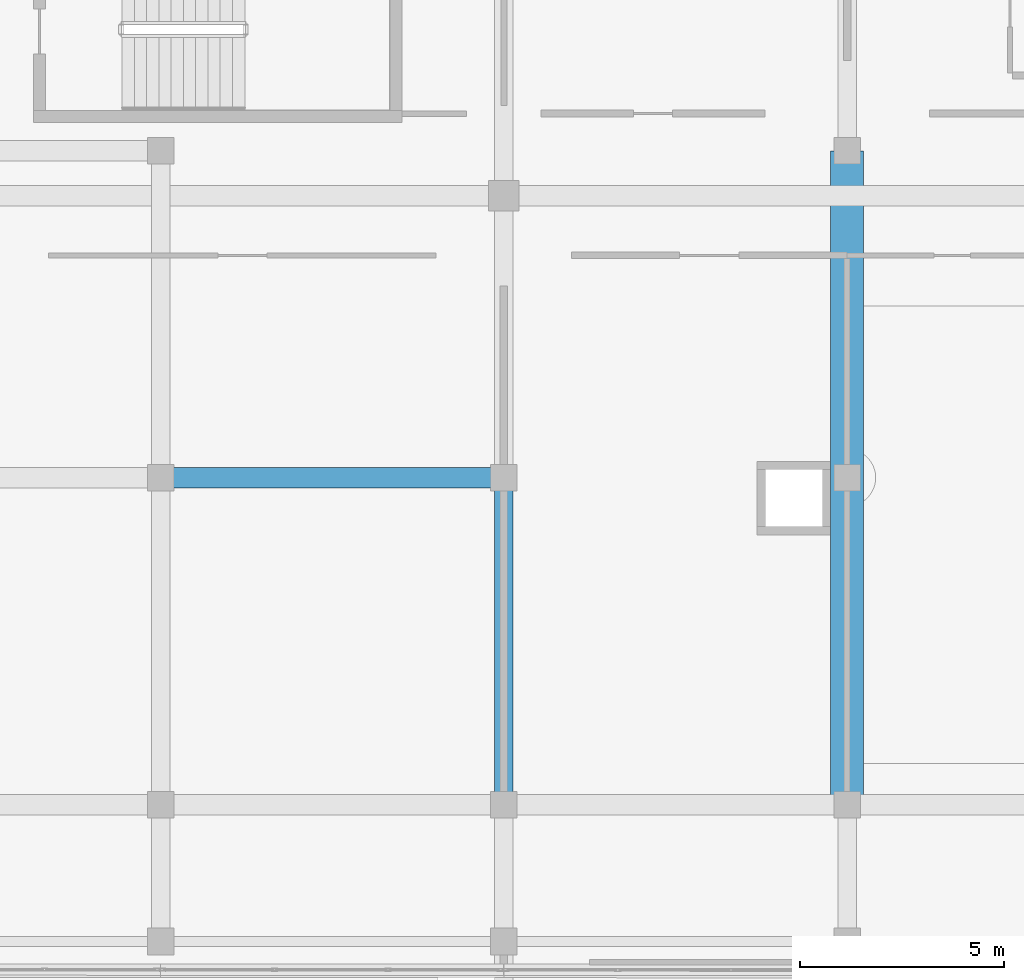
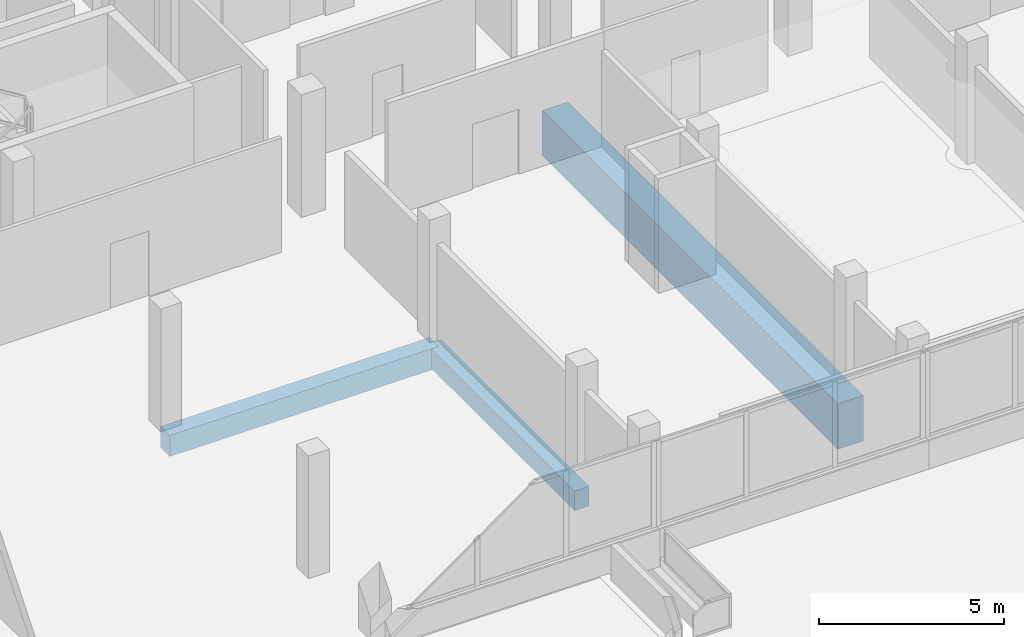
# One storey, part 19 of 78: 3 beams.
"""IFC4 building model written with IfcOpenShell, lengths in metres."""

from ifc_helpers import new_model, si_unit, direction, frame, origin, origin_2d, place, context, subcontext, project, spatial, rectangle, extrude, material, material_profile, profile_set, type_object, element, save


model = new_model("IFC4")

# Units and contexts
model_context = context("Model", 3, precision=1e-05, world=origin(), true_north=direction((0.0, 1.0)))
body_context = subcontext(model_context, "Body", "Model", "MODEL_VIEW")
ifc_project = project(units=[si_unit("LENGTHUNIT", "METRE"), si_unit("AREAUNIT", "SQUARE_METRE"), si_unit("VOLUMEUNIT", "CUBIC_METRE"), si_unit("PLANEANGLEUNIT", "RADIAN"), si_unit("MASSUNIT", "GRAM", prefix="KILO")], contexts=[model_context])

# Site, building, storey
site_placement = place(None, origin())
site = spatial("IfcSite", under=ifc_project, at=site_placement, CompositionType="ELEMENT")
building_placement = place(site_placement, origin())
building = spatial("IfcBuilding", under=site, at=building_placement, Name="Selatvlak General Hospital", CompositionType="ELEMENT")
storey_placement = place(building_placement, frame((0.0, 0.0, 23.25)))
storey = spatial("IfcBuildingStorey", under=building, at=storey_placement, Name="L05", CompositionType="ELEMENT", Elevation=23.25)

# Beams
ifc_material_1 = material(Name="Concrete C40/50", Category="concrete")
ifc_material_profile_1 = material_profile(ifc_material_1, rectangle(XDim=0.5, YDim=0.699951171875, at=origin_2d()), Name="RC-BM 500x700")
ifc_profile_set_1 = profile_set([ifc_material_profile_1], Name="Concrete C40/50")
beam_type_1 = type_object("IfcBeamType", Name="BM-G03", PredefinedType="BEAM", material=ifc_profile_set_1)
beam_1_placement = place(storey_placement, frame((106.800048828125, 100.0, -0.6298828125), z_axis=(1.0, 0.0, 0.0), x_axis=(0.0, 1.0, 0.0)))
element("IfcBeam", 1, at=beam_1_placement, inside=storey, type_object=beam_type_1, Name="Beam BMR-L05-1934", PredefinedType="BEAM", context=body_context, shape_type="SweptSolid", body=[
    extrude(rectangle(XDim=0.5, YDim=0.699951171875, at=origin_2d()), origin(), (0.0, 0.0, 1.0), 8.39990234375),
])
ifc_material_profile_2 = material_profile(ifc_material_1, rectangle(XDim=0.449951171875, YDim=0.64990234375, at=origin_2d()), Name="RC-BM 450x650")
ifc_profile_set_2 = profile_set([ifc_material_profile_2], Name="Concrete C40/50")
beam_type_2 = type_object("IfcBeamType", Name="BM-G04", PredefinedType="BEAM", material=ifc_profile_set_2)
beam_2_placement = place(storey_placement, frame((115.199951171875, 92.0, -0.60498046875), z_axis=(0.0, 1.0, 0.0), x_axis=(-1.0, 0.0, 0.0)))
element("IfcBeam", 2, at=beam_2_placement, inside=storey, type_object=beam_type_2, Name="Beam BMR-L05-2044", PredefinedType="BEAM", context=body_context, shape_type="SweptSolid", body=[
    extrude(rectangle(XDim=0.449951171875, YDim=0.64990234375, at=origin_2d()), origin(), (0.0, 0.0, 1.0), 8.0),
])
ifc_material_2 = material(Name="Concrete C50/60", Category="concrete")
ifc_material_profile_3 = material_profile(ifc_material_2, rectangle(XDim=0.800048828125, YDim=1.5, at=origin_2d()), Name="RC-BM 800x1500")
ifc_profile_set_3 = profile_set([ifc_material_profile_3], Name="Concrete C50/60")
beam_type_3 = type_object("IfcBeamType", Name="BM-TR2", PredefinedType="BEAM", material=ifc_profile_set_3)
beam_3_placement = place(storey_placement, frame((123.60009765625, 92.0, -1.030029296875), z_axis=(0.0, 1.0, 0.0), x_axis=(-1.0, 0.0, 0.0)))
element("IfcBeam", 3, at=beam_3_placement, inside=storey, type_object=beam_type_3, Name="Transfer girder BMR-L05-0001", PredefinedType="BEAM", context=body_context, shape_type="SweptSolid", body=[
    extrude(rectangle(XDim=0.800048828125, YDim=1.5, at=origin_2d()), origin(), (0.0, 0.0, 1.0), 16.0),
])

save(model, "model.ifc")
